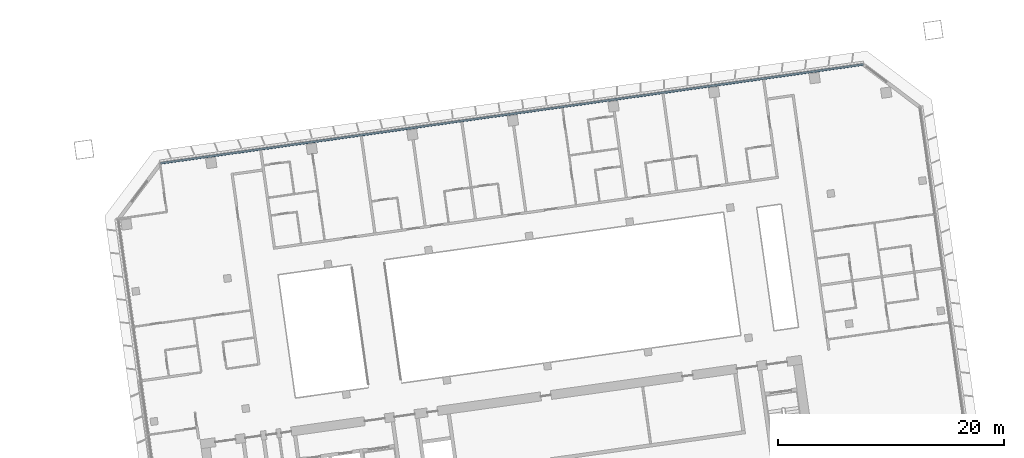
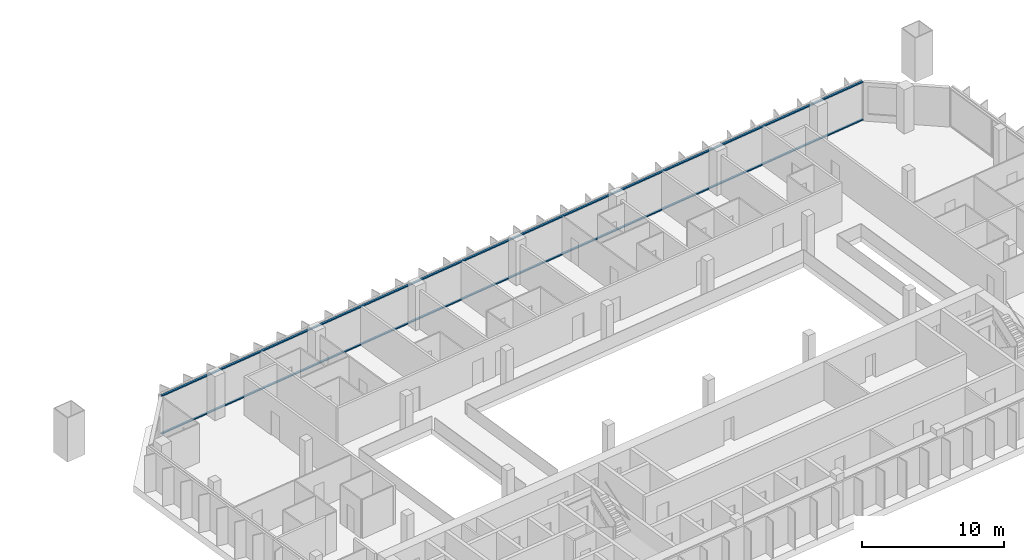
# One storey, part 9 of 26: 2 members, 1 element without a shape of its own.
"""IFC4 building model written with IfcOpenShell, lengths in metres."""

from ifc_helpers import new_model, si_unit, direction, frame, origin, origin_2d, place, context, subcontext, project, spatial, rectangle, extrude, material, material_profile, profile_set, type_object, element, aggregate, save


model = new_model("IFC4")

# Units and contexts
model_context = context("Model", 3, precision=1e-05, world=origin(), true_north=direction((0.0, 1.0)))
body_context = subcontext(model_context, "Body", "Model", "MODEL_VIEW")
ifc_project = project(units=[si_unit("LENGTHUNIT", "METRE"), si_unit("AREAUNIT", "SQUARE_METRE"), si_unit("VOLUMEUNIT", "CUBIC_METRE"), si_unit("PLANEANGLEUNIT", "RADIAN"), si_unit("MASSUNIT", "GRAM", prefix="KILO")], contexts=[model_context])

# Site, building, storey
site_placement = place(None, origin())
site = spatial("IfcSite", under=ifc_project, at=site_placement, CompositionType="ELEMENT")
building_placement = place(site_placement, origin())
building = spatial("IfcBuilding", under=site, at=building_placement, Name="Mirante Cascada Hotel Towers", CompositionType="ELEMENT")
storey_placement = place(building_placement, frame((0.0, 0.0, 106.3)))
storey = spatial("IfcBuildingStorey", under=building, at=storey_placement, Name="L23", CompositionType="ELEMENT", Elevation=106.3)

# Curtain wall, members
ifc_material_1 = material(Name="Aluminium mullion and transom frame with clear laminated glass", Category="aluminium")
curtain_wall_type = type_object("IfcCurtainWallType", Name="Ribbon curtain wall ECW1", PredefinedType="NOTDEFINED", material=ifc_material_1)
curtain_wall_placement = place(storey_placement, origin())
curtain_wall = element("IfcCurtainWall", 1, at=curtain_wall_placement, inside=storey, type_object=curtain_wall_type, Name="Front ribbon wall T2 L23", PredefinedType="NOTDEFINED")
ifc_material_2 = material(Name="Anodised aluminium extrusion", Category="aluminium")
ifc_material_profile = material_profile(ifc_material_2, rectangle(XDim=0.16, YDim=0.1, at=origin_2d()), Name="ECW1 TRANSOM 100x160")
ifc_profile_set = profile_set([ifc_material_profile], Name="Anodised aluminium extrusion")
member_type = type_object("IfcMemberType", Name="ECW1 transom 100x160", PredefinedType="USERDEFINED", material=ifc_profile_set)
member_1_placement = place(storey_placement, frame((94.1582, 26.0521, 0.05), z_axis=(-0.9902681, -0.1391728, 0.0), x_axis=(0.1391728, -0.9902681, 0.0)))
member_1 = element("IfcMember", 2, at=member_1_placement, type_object=member_type, Name="ECW1 sill transom", ObjectType="TRANSOM", PredefinedType="USERDEFINED", context=body_context, shape_type="SweptSolid", body=[
    extrude(rectangle(XDim=0.16, YDim=0.1, at=origin_2d()), origin(), (0.0, 0.0, 1.0), 62.8758),
])
member_2_placement = place(storey_placement, frame((94.1582, 26.0521, 3.3), z_axis=(-0.9902681, -0.1391728, 0.0), x_axis=(0.1391728, -0.9902681, 0.0)))
member_2 = element("IfcMember", 3, at=member_2_placement, type_object=member_type, Name="ECW1 head transom", ObjectType="TRANSOM", PredefinedType="USERDEFINED", context=body_context, shape_type="SweptSolid", body=[
    extrude(rectangle(XDim=0.16, YDim=0.1, at=origin_2d()), origin(), (0.0, 0.0, 1.0), 62.8758),
])
aggregate(curtain_wall, [member_1, member_2])

save(model, "model.ifc")
